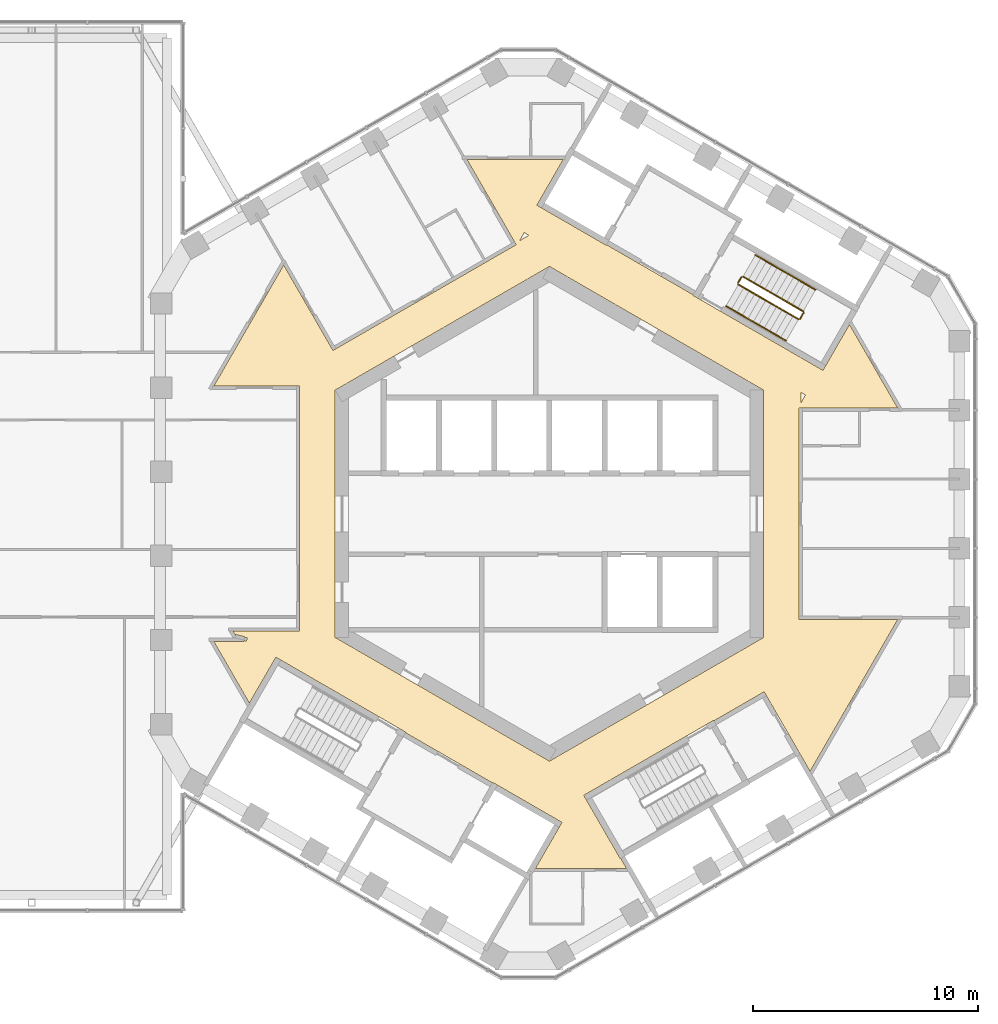
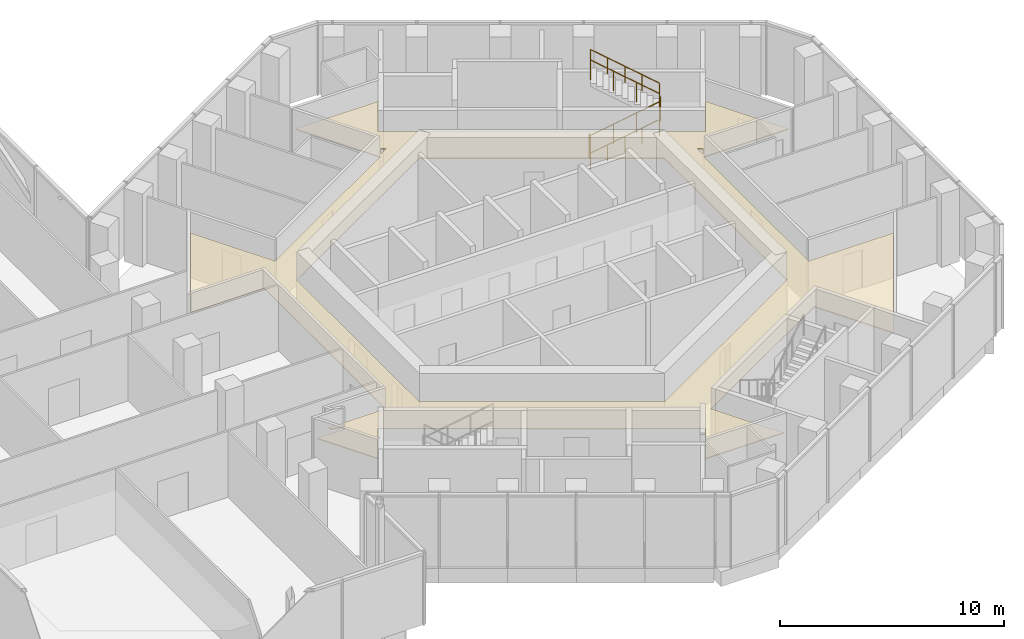
# One storey, part 21 of 21: 8 railings, 1 covering.
"""IFC4 building model written with IfcOpenShell, lengths in metres."""

from ifc_helpers import new_model, si_unit, direction, frame, origin, origin_2d, place, context, subcontext, project, spatial, polyline, circle, outline, extrude, material, layer, layer_set, type_object, element, save


model = new_model("IFC4")

# Units and contexts
model_context = context("Model", 3, precision=1e-05, world=origin(), true_north=direction((0.0, 1.0)))
body_context = subcontext(model_context, "Body", "Model", "MODEL_VIEW")
ifc_project = project(units=[si_unit("LENGTHUNIT", "METRE"), si_unit("AREAUNIT", "SQUARE_METRE"), si_unit("VOLUMEUNIT", "CUBIC_METRE"), si_unit("PLANEANGLEUNIT", "RADIAN"), si_unit("MASSUNIT", "GRAM", prefix="KILO")], contexts=[model_context])

# Site, building, storey
site_placement = place(None, origin())
site = spatial("IfcSite", under=ifc_project, at=site_placement, CompositionType="ELEMENT")
building_placement = place(site_placement, origin())
building = spatial("IfcBuilding", under=site, at=building_placement, Name="Ayvan Gate Tower", CompositionType="ELEMENT")
storey_placement = place(building_placement, frame((0.0, 0.0, 206.10009765625)))
storey = spatial("IfcBuildingStorey", under=building, at=storey_placement, Name="L55", CompositionType="ELEMENT", Elevation=206.10009765625)

# Covering
ifc_material_1 = material(Name="Plasterboard suspended ceiling")
ifc_layer = layer(ifc_material_1, 0.050048828125)
ifc_layer_set = layer_set([ifc_layer], Name="Plasterboard suspended ceiling")
covering_type = type_object("IfcCoveringType", Name="CT-SUSP-50", PredefinedType="CEILING", material=ifc_layer_set)
covering_placement = place(storey_placement, frame((0.0, 0.0, 2.39990234375)))
element("IfcCovering", 1, at=covering_placement, inside=storey, type_object=covering_type, Name="Ceiling Ring Corridor L55", PredefinedType="CEILING", context=body_context, shape_type="SweptSolid", body=[
    extrude(outline(polyline([(-14.03271484375, -5.208740234375), (-11.074951171875, -5.208740234375), (-11.074951171875, 5.65869140625), (-14.887939453125, 5.65869140625), (-11.785400390625, 11.03271484375), (-9.59912109375, 7.24609375), (-9.46923828125, 7.3212890625), (-1.475830078125, 11.936279296875), (-1.55078125, 12.066162109375), (-3.662109375, 15.72265625), (0.619384765625, 15.72265625), (-0.55615234375, 13.686767578125), (-0.339599609375, 13.561767578125), (2.518310546875, 11.91162109375), (2.53076171875, 11.933349609375), (6.384521484375, 9.70849609375), (6.3720703125, 9.686767578125), (6.588623046875, 9.561767578125), (12.131103515625, 6.36181640625), (12.24609375, 6.56103515625), (13.306640625, 8.397705078125), (15.447265625, 4.68994140625), (11.074951171875, 4.68994140625), (11.074951171875, -4.68994140625), (15.447265625, -4.68994140625), (11.56005859375, -11.422607421875), (11.123779296875, -10.667236328125), (9.623779296875, -8.069091796875), (9.52392578125, -7.89599609375), (7.2939453125, -9.183349609375), (7.281494140625, -9.16162109375), (1.522216796875, -12.48681640625), (1.647216796875, -12.703369140625), (3.147216796875, -15.30126953125), (3.1689453125, -15.288818359375), (3.41943359375, -15.72265625), (-0.619384765625, -15.72265625), (0.43115234375, -13.9033203125), (0.55615234375, -13.686767578125), (-2.284423828125, -12.046630859375), (-2.518310546875, -11.91162109375), (-2.53076171875, -11.933349609375), (-6.384521484375, -9.70849609375), (-6.3720703125, -9.686767578125), (-11.897216796875, -6.49658203125), (-12.131103515625, -6.36181640625), (-13.306640625, -8.397705078125), (-14.887939453125, -5.65869140625), (-13.53662109375, -5.65869140625), (-13.53662109375, -5.622802734375), (-13.43408203125, -5.648681640625), (-13.41748046875, -5.583740234375), (-13.38623046875, -5.583740234375), (-13.415771484375, -5.576171875), (-13.397216796875, -5.50341796875), (-13.512939453125, -5.473876953125), (-13.508544921875, -5.45654296875), (-13.908935546875, -5.35400390625), (-13.919921875, -5.396240234375), (-14.03271484375, -5.208740234375)]), holes=[polyline([(11.35546875, 5.26806640625), (11.14990234375, 5.38671875), (11.14990234375, 4.912353515625), (11.35546875, 5.26806640625)]), polyline([(-0.300048828125, -10.79638671875), (0.0, -10.9697265625), (1.614501953125, -10.03759765625), (1.94091796875, -9.84912109375), (8.38720703125, -6.127197265625), (9.199951171875, -5.657958984375), (9.5, -5.48486328125), (9.5, 5.48486328125), (0.0, 10.9697265625), (-8.758544921875, 5.912841796875), (-9.5, 5.48486328125), (-9.5, -5.48486328125), (-9.199951171875, -5.657958984375), (-0.300048828125, -10.79638671875)]), polyline([(-1.32080078125, 12.1123046875), (-0.909912109375, 12.349609375), (-1.115478515625, 12.468017578125), (-1.32080078125, 12.1123046875)])]), origin(), (0.0, 0.0, 1.0), 0.050048828125),
])

# Railings
ifc_material_2 = material(Name="Stainless steel balustrade", Category="steel")
railing_type_1 = type_object("IfcRailingType", Name="RL-GUARD-1100", PredefinedType="GUARDRAIL", material=ifc_material_2)
railing_1_placement = place(storey_placement, frame((8.381103515625, 10.16650390625, 0.16650390625)))
element("IfcRailing", 2, at=railing_1_placement, inside=storey, type_object=railing_type_1, Name="L55 STS1 stair guard 1", PredefinedType="GUARDRAIL", context=body_context, shape_type="SweptSolid", body=[
    extrude(circle(Radius=0.02392578125, at=origin_2d()), frame((0.0, 0.0, 1.076171875), z_axis=(0.7441639146, -0.429634447492, 0.511502013422), x_axis=(0.499992328818, 0.866029832698, 0.0)), (0.0, 0.0, 1.0), 3.58447265625),
    extrude(circle(Radius=0.02099609375, at=origin_2d()), origin(), (0.0, 0.0, 1.0), 1.052001953125),
    extrude(circle(Radius=0.02099609375, at=origin_2d()), frame((0.88916015625, -0.513427734375, 0.611083984375)), (0.0, 0.0, 1.0), 1.052001953125),
    extrude(circle(Radius=0.02099609375, at=origin_2d()), frame((1.7783203125, -1.026611328125, 1.222412109375)), (0.0, 0.0, 1.0), 1.052001953125),
    extrude(circle(Radius=0.02099609375, at=origin_2d()), frame((2.66748046875, -1.5400390625, 1.83349609375)), (0.0, 0.0, 1.0), 1.052001953125),
])
railing_2_placement = place(storey_placement, frame((11.11669921875, 8.644775390625, 2.0)))
element("IfcRailing", 3, at=railing_2_placement, inside=storey, type_object=railing_type_1, Name="L55 STS1 stair guard 2", PredefinedType="GUARDRAIL", context=body_context, shape_type="SweptSolid", body=[
    extrude(circle(Radius=0.02392578125, at=origin_2d()), frame((0.0, 0.0, 1.076171875), z_axis=(0.499949632511, 0.866054481515, 0.0), x_axis=(-0.866054481515, 0.499949632511, 0.0)), (0.0, 0.0, 1.0), 0.31005859375),
    extrude(circle(Radius=0.02099609375, at=origin_2d()), origin(), (0.0, 0.0, 1.0), 1.052001953125),
    extrude(circle(Radius=0.02099609375, at=origin_2d()), frame((0.155029296875, 0.2685546875, 0.0)), (0.0, 0.0, 1.0), 1.052001953125),
])
railing_3_placement = place(storey_placement, frame((11.25341796875, 8.981689453125, 2.16650390625)))
element("IfcRailing", 4, at=railing_3_placement, inside=storey, type_object=railing_type_1, Name="L55 STS1 stair guard 3", PredefinedType="GUARDRAIL", context=body_context, shape_type="SweptSolid", body=[
    extrude(circle(Radius=0.02392578125, at=origin_2d()), frame((0.0, 0.0, 1.076171875), z_axis=(-0.744155296881, 0.429600682602, 0.511542908886), x_axis=(-0.499967199496, -0.866044340336, 0.0)), (0.0, 0.0, 1.0), 3.584228515625),
    extrude(circle(Radius=0.02099609375, at=origin_2d()), origin(), (0.0, 0.0, 1.0), 1.052001953125),
    extrude(circle(Radius=0.02099609375, at=origin_2d()), frame((-0.88916015625, 0.51318359375, 0.611083984375)), (0.0, 0.0, 1.0), 1.052001953125),
    extrude(circle(Radius=0.02099609375, at=origin_2d()), frame((-1.778076171875, 1.026611328125, 1.222412109375)), (0.0, 0.0, 1.0), 1.052001953125),
    extrude(circle(Radius=0.02099609375, at=origin_2d()), frame((-2.667236328125, 1.539794921875, 1.83349609375)), (0.0, 0.0, 1.0), 1.052001953125),
])
railing_4_placement = place(storey_placement, frame((8.36279296875, 10.23486328125, 0.0)))
element("IfcRailing", 5, at=railing_4_placement, inside=storey, type_object=railing_type_1, Name="L55 STS1 stair guard 4", PredefinedType="GUARDRAIL", context=body_context, shape_type="SweptSolid", body=[
    extrude(circle(Radius=0.02392578125, at=origin_2d()), frame((0.0, 0.0, 1.076171875), z_axis=(0.500290723946, 0.86585748916, 0.0), x_axis=(-0.86585748916, 0.500290723946, 0.0)), (0.0, 0.0, 1.0), 0.309814453125),
    extrude(circle(Radius=0.02099609375, at=origin_2d()), origin(), (0.0, 0.0, 1.0), 1.052001953125),
    extrude(circle(Radius=0.02099609375, at=origin_2d()), frame((0.155029296875, 0.268310546875, 0.0)), (0.0, 0.0, 1.0), 1.052001953125),
])
railing_type_2 = type_object("IfcRailingType", Name="RL-HANDRAIL-900", PredefinedType="HANDRAIL", material=ifc_material_2)
for number, where, name in (
    (6, (7.8310546875, 9.2138671875, 0.16650390625), "L55 STS1 stair handrail 1"),
    (7, (9.164794921875, 8.44384765625, 1.083251953125), "L55 STS1 stair handrail 2"),
):
    element("IfcRailing", number, at=place(storey_placement, frame(where)), inside=storey, type_object=railing_type_2, Name=name, PredefinedType="HANDRAIL", context=body_context, shape_type="SweptSolid", body=[
        extrude(circle(Radius=0.02392578125, at=origin_2d()), frame((0.0, 0.0, 0.8759765625), z_axis=(0.7441639146, -0.429634447492, 0.511502013422), x_axis=(0.499992328818, 0.866029832698, 0.0)), (0.0, 0.0, 1.0), 1.792236328125),
        extrude(circle(Radius=0.02099609375, at=origin_2d()), origin(), (0.0, 0.0, 1.0), 0.851806640625),
        extrude(circle(Radius=0.02099609375, at=origin_2d()), frame((0.6669921875, -0.385009765625, 0.45849609375)), (0.0, 0.0, 1.0), 0.851806640625),
        extrude(circle(Radius=0.02099609375, at=origin_2d()), frame((1.333740234375, -0.77001953125, 0.916748046875)), (0.0, 0.0, 1.0), 0.851806640625),
    ])
for number, where, name in (
    (8, (11.803466796875, 9.93408203125, 2.16650390625), "L55 STS1 stair handrail 3"),
    (9, (10.4697265625, 10.7041015625, 3.083251953125), "L55 STS1 stair handrail 4"),
):
    element("IfcRailing", number, at=place(storey_placement, frame(where)), inside=storey, type_object=railing_type_2, Name=name, PredefinedType="HANDRAIL", context=body_context, shape_type="SweptSolid", body=[
        extrude(circle(Radius=0.02392578125, at=origin_2d()), frame((0.0, 0.0, 0.8759765625), z_axis=(-0.7441639146, 0.429634447492, 0.511502013422), x_axis=(-0.499992328818, -0.866029832698, 0.0)), (0.0, 0.0, 1.0), 1.792236328125),
        extrude(circle(Radius=0.02099609375, at=origin_2d()), origin(), (0.0, 0.0, 1.0), 0.851806640625),
        extrude(circle(Radius=0.02099609375, at=origin_2d()), frame((-0.6669921875, 0.385009765625, 0.45849609375)), (0.0, 0.0, 1.0), 0.851806640625),
        extrude(circle(Radius=0.02099609375, at=origin_2d()), frame((-1.333740234375, 0.77001953125, 0.916748046875)), (0.0, 0.0, 1.0), 0.851806640625),
    ])

save(model, "model.ifc")
